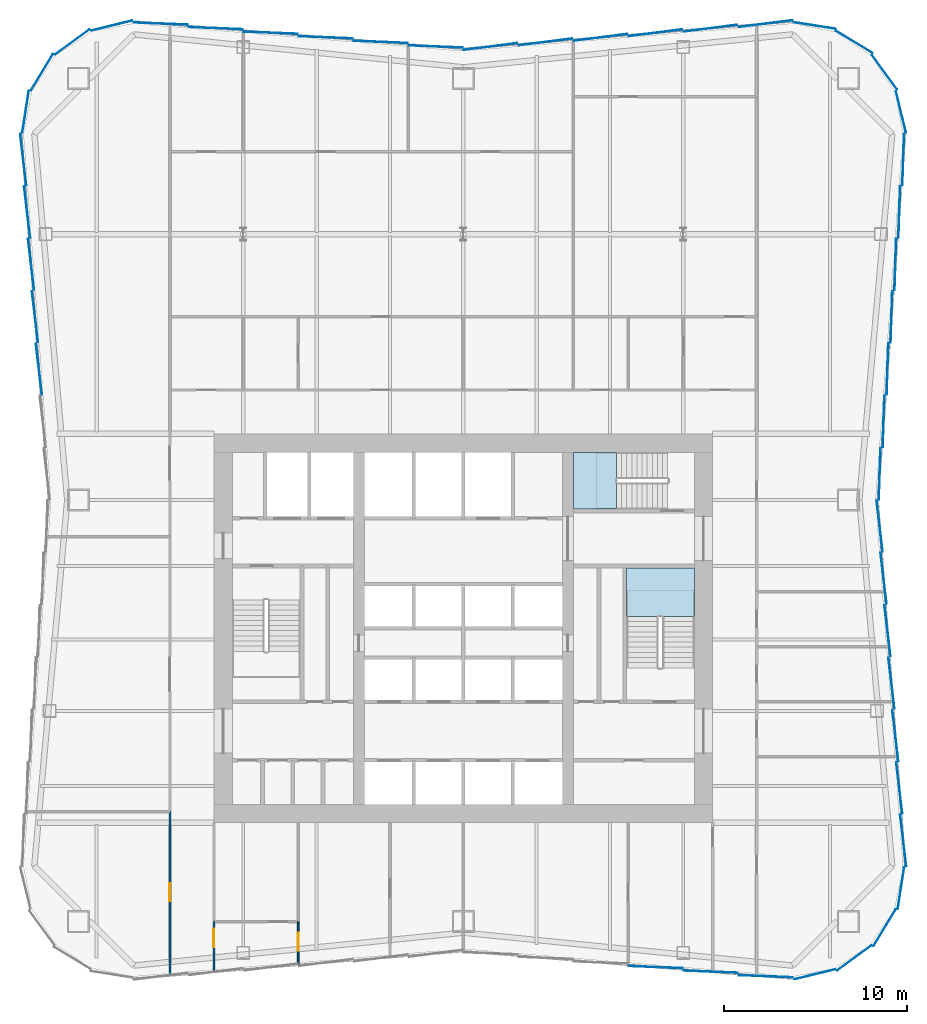
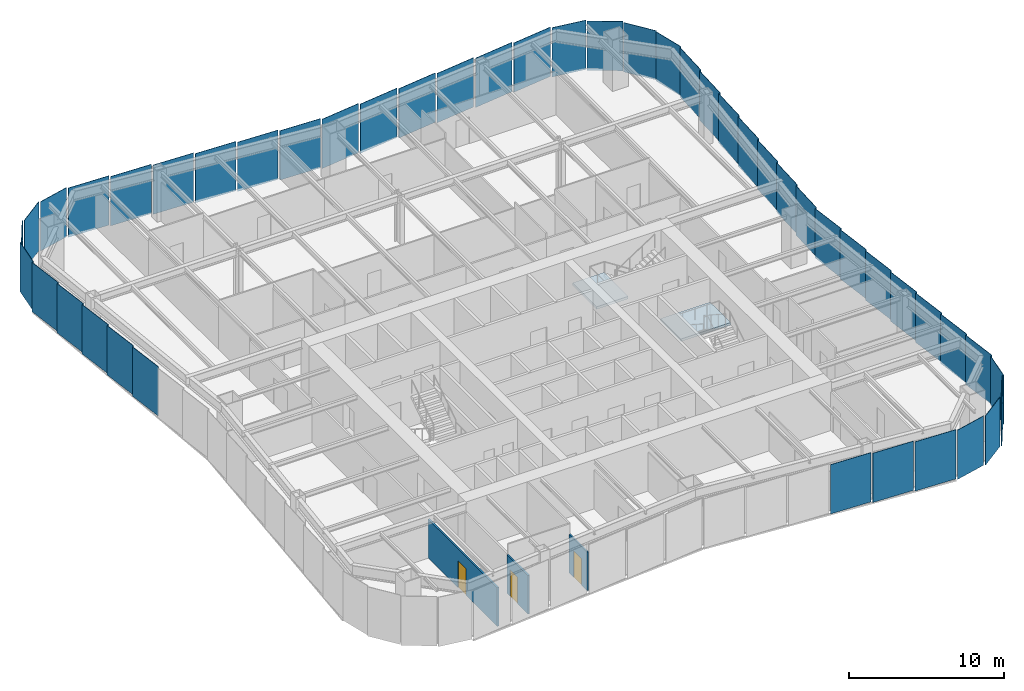
# One storey, part 3 of 8: 46 plates, 3 doors, 3 walls, 2 slabs, 3 openings, 9 elements without a shape of their own.
"""IFC4 building model written with IfcOpenShell, lengths in metres."""

from ifc_helpers import new_model, si_unit, direction, frame, frame_2d, origin, origin_2d, place, context, subcontext, project, spatial, polyline, rectangle, outline, extrude, material, layer, layer_set, type_object, element, fill, aggregate, save


model = new_model("IFC4")

# Units and contexts
model_context = context("Model", 3, precision=1e-05, world=origin(), true_north=direction((0.0, 1.0)))
body_context = subcontext(model_context, "Body", "Model", "MODEL_VIEW")
ifc_project = project(units=[si_unit("LENGTHUNIT", "METRE"), si_unit("AREAUNIT", "SQUARE_METRE"), si_unit("VOLUMEUNIT", "CUBIC_METRE"), si_unit("PLANEANGLEUNIT", "RADIAN"), si_unit("MASSUNIT", "GRAM", prefix="KILO")], contexts=[model_context])

# Site, building, storey
site_placement = place(None, origin())
site = spatial("IfcSite", under=ifc_project, at=site_placement, CompositionType="ELEMENT")
building_placement = place(site_placement, origin())
building = spatial("IfcBuilding", under=site, at=building_placement, Name="Verdant Reach Tower", CompositionType="ELEMENT")
storey_placement = place(building_placement, frame((0.0, 0.0, 146.0)))
storey = spatial("IfcBuildingStorey", under=building, at=storey_placement, Name="L33", CompositionType="ELEMENT", Elevation=146.0)

# Stair, slab
ifc_material_1 = material(Name="Concrete C40/50", Category="concrete")
stair_type = type_object("IfcStairType", Name="CO-STAIR", PredefinedType="HALF_TURN_STAIR", material=ifc_material_1)
stair_1_placement = place(storey_placement, origin())
stair_1 = element("IfcStair", 1, at=stair_1_placement, inside=storey, type_object=stair_type, Name="L33 Exit stair 2", PredefinedType="HALF_TURN_STAIR")
ifc_layer_1 = layer(ifc_material_1, 0.199951171875)
ifc_layer_set_1 = layer_set([ifc_layer_1], Name="CO-STAIR-LANDING")
slab_type = type_object("IfcSlabType", Name="CO-STAIR-LANDING", PredefinedType="LANDING", material=ifc_layer_set_1)
slab_1_placement = place(storey_placement, frame((0.0, 0.0, 1.800048828125)))
slab_1 = element("IfcSlab", 2, at=slab_1_placement, type_object=slab_type, Name="ST-2 landing 1", PredefinedType="LANDING", context=body_context, shape_type="SweptSolid", body=[
    extrude(outline(polyline([(12.60009765625, 28.64990234375), (12.60009765625, 31.300048828125), (8.89990234375, 31.300048828125), (8.89990234375, 28.64990234375), (12.60009765625, 28.64990234375)])), origin(), (0.0, 0.0, 1.0), 0.199951171875),
])
aggregate(stair_1, [slab_1])

stair_2_placement = place(storey_placement, origin())
stair_2 = element("IfcStair", 3, at=stair_2_placement, inside=storey, type_object=stair_type, Name="L33 Exit stair 3", PredefinedType="HALF_TURN_STAIR")
slab_2_placement = place(storey_placement, frame((0.0, 0.0, 1.800048828125)))
slab_2 = element("IfcSlab", 4, at=slab_2_placement, type_object=slab_type, Name="ST-3 landing 1", PredefinedType="LANDING", context=body_context, shape_type="SweptSolid", body=[
    extrude(outline(polyline([(8.35009765625, 37.60009765625), (6.0, 37.60009765625), (6.0, 34.5), (8.35009765625, 34.5), (8.35009765625, 37.60009765625)])), origin(), (0.0, 0.0, 1.0), 0.199951171875),
])
aggregate(stair_2, [slab_2])

# Curtain wall, plates
ifc_material_2 = material(Name="Anodised aluminium", Category="aluminium")
curtain_wall_type = type_object("IfcCurtainWallType", Name="EN-CW SYSTEM Z2", PredefinedType="NOTDEFINED", material=ifc_material_2)
curtain_wall_1_placement = place(storey_placement, origin())
curtain_wall_1 = element("IfcCurtainWall", 5, at=curtain_wall_1_placement, inside=storey, type_object=curtain_wall_type, Name="Curtain wall south-east corner, L33", PredefinedType="NOTDEFINED")
ifc_material_3 = material(Name="Tinted glass with champagne spandrel", Category="glass")
ifc_layer_2 = layer(ifc_material_3, 0.031982421875)
ifc_layer_set_2 = layer_set([ifc_layer_2], Name="EN-PANEL CHAMPAGNE")
plate_type_1 = type_object("IfcPlateType", Name="EN-PANEL CHAMPAGNE", PredefinedType="CURTAIN_PANEL", material=ifc_layer_set_2)
plate_1_placement = place(storey_placement, frame((22.9794921875, 11.6728515625, -0.22607421875), z_axis=(0.0, 0.0, 1.0), x_axis=(0.520291561353, 0.853988694998, 0.0)))
plate_1 = element("IfcPlate", 6, at=plate_1_placement, type_object=plate_type_1, Name="Glass panel south-east corner 3.1, L33", PredefinedType="CURTAIN_PANEL", context=body_context, shape_type="SweptSolid", body=[
    extrude(rectangle(XDim=2.322509765625, YDim=0.031982421875, at=origin_2d()), origin(), (0.0, 0.0, 1.0), 3.8759765625),
])
plate_2_placement = place(storey_placement, frame((23.87353515625, 13.828369140625, -0.22607421875), z_axis=(0.0, 0.0, 1.0), x_axis=(0.154281290631, 0.988026964896, 0.0)))
plate_2 = element("IfcPlate", 7, at=plate_2_placement, type_object=plate_type_1, Name="Glass panel south-east corner 4.1, L33", PredefinedType="CURTAIN_PANEL", context=body_context, shape_type="SweptSolid", body=[
    extrude(rectangle(XDim=2.316162109375, YDim=0.031982421875, at=origin_2d()), origin(), (0.0, 0.0, 1.0), 3.8759765625),
])

curtain_wall_2_placement = place(storey_placement, origin())
curtain_wall_2 = element("IfcCurtainWall", 8, at=curtain_wall_2_placement, inside=storey, type_object=curtain_wall_type, Name="Curtain wall east, L33", PredefinedType="NOTDEFINED")
plate_3_placement = place(storey_placement, frame((23.99853515625, 16.42919921875, -0.22607421875), z_axis=(0.0, 0.0, 1.0), x_axis=(-0.116147092358, 0.993232023717, 0.0)))
plate_3 = element("IfcPlate", 9, at=plate_3_placement, type_object=plate_type_1, Name="Glass panel east face part 1 1.1, L33", PredefinedType="CURTAIN_PANEL", context=body_context, shape_type="SweptSolid", body=[
    extrude(rectangle(XDim=2.819580078125, YDim=0.031982421875, at=origin_2d()), origin(), (0.0, 0.0, 1.0), 3.8759765625),
])
plate_4_placement = place(storey_placement, frame((23.7841796875, 19.293701171875, -0.22607421875), z_axis=(0.0, 0.0, 1.0), x_axis=(-0.116482717753, 0.993192718693, 0.0)))
plate_4 = element("IfcPlate", 10, at=plate_4_placement, type_object=plate_type_1, Name="Glass panel east face part 1 2.1, L33", PredefinedType="CURTAIN_PANEL", context=body_context, shape_type="SweptSolid", body=[
    extrude(rectangle(XDim=2.80517578125, YDim=0.031982421875, at=origin_2d()), origin(), (0.0, 0.0, 1.0), 3.8759765625),
])
plate_5_placement = place(storey_placement, frame((23.570068359375, 22.15087890625, -0.22607421875), z_axis=(0.0, 0.0, 1.0), x_axis=(-0.116482717753, 0.993192718693, 0.0)))
plate_5 = element("IfcPlate", 11, at=plate_5_placement, type_object=plate_type_1, Name="Glass panel east face part 1 3.1, L33", PredefinedType="CURTAIN_PANEL", context=body_context, shape_type="SweptSolid", body=[
    extrude(rectangle(XDim=2.80517578125, YDim=0.031982421875, at=origin_2d()), origin(), (0.0, 0.0, 1.0), 3.8759765625),
])
plate_6_placement = place(storey_placement, frame((23.141357421875, 42.135009765625, -0.22607421875), z_axis=(0.0, 0.0, 1.0), x_axis=(0.032965971753, 0.999456474643, 0.0)))
plate_6 = element("IfcPlate", 12, at=plate_6_placement, type_object=plate_type_1, Name="Glass panel east face part 2 3.1, L33", PredefinedType="CURTAIN_PANEL", context=body_context, shape_type="SweptSolid", body=[
    extrude(rectangle(XDim=2.80517578125, YDim=0.031982421875, at=origin_2d()), origin(), (0.0, 0.0, 1.0), 3.8759765625),
])
plate_7_placement = place(storey_placement, frame((23.355712890625, 44.9921875, -0.22607421875), z_axis=(0.0, 0.0, 1.0), x_axis=(0.032965971753, 0.999456474643, 0.0)))
plate_7 = element("IfcPlate", 13, at=plate_7_placement, type_object=plate_type_1, Name="Glass panel east face part 2 4.1, L33", PredefinedType="CURTAIN_PANEL", context=body_context, shape_type="SweptSolid", body=[
    extrude(rectangle(XDim=2.80517578125, YDim=0.031982421875, at=origin_2d()), origin(), (0.0, 0.0, 1.0), 3.8759765625),
])

curtain_wall_3_placement = place(storey_placement, origin())
curtain_wall_3 = element("IfcCurtainWall", 14, at=curtain_wall_3_placement, inside=storey, type_object=curtain_wall_type, Name="Curtain wall north-east corner, L33", PredefinedType="NOTDEFINED")
plate_8_placement = place(storey_placement, frame((23.87353515625, 56.171630859375, -0.22607421875), z_axis=(0.0, 0.0, 1.0), x_axis=(-0.236416170006, 0.971651889598, 0.0)))
plate_8 = element("IfcPlate", 15, at=plate_8_placement, type_object=plate_type_1, Name="Glass panel north-east corner 1.1, L33", PredefinedType="CURTAIN_PANEL", context=body_context, shape_type="SweptSolid", body=[
    extrude(rectangle(XDim=2.316162109375, YDim=0.031982421875, at=origin_2d()), origin(), (0.0, 0.0, 1.0), 3.8759765625),
])
plate_9_placement = place(storey_placement, frame((22.9794921875, 58.3271484375, -0.22607421875), z_axis=(0.0, 0.0, 1.0), x_axis=(-0.589926757843, 0.807456760688, 0.0)))
plate_9 = element("IfcPlate", 16, at=plate_9_placement, type_object=plate_type_1, Name="Glass panel north-east corner 2.1, L33", PredefinedType="CURTAIN_PANEL", context=body_context, shape_type="SweptSolid", body=[
    extrude(rectangle(XDim=2.322509765625, YDim=0.031982421875, at=origin_2d()), origin(), (0.0, 0.0, 1.0), 3.8759765625),
])
plate_10_placement = place(storey_placement, frame((21.3271484375, 59.9794921875, -0.22607421875), z_axis=(0.0, 0.0, 1.0), x_axis=(-0.853988694998, 0.520291561353, 0.0)))
plate_10 = element("IfcPlate", 17, at=plate_10_placement, type_object=plate_type_1, Name="Glass panel north-east corner 3.1, L33", PredefinedType="CURTAIN_PANEL", context=body_context, shape_type="SweptSolid", body=[
    extrude(rectangle(XDim=2.322509765625, YDim=0.031982421875, at=origin_2d()), origin(), (0.0, 0.0, 1.0), 3.8759765625),
])

curtain_wall_4_placement = place(storey_placement, origin())
curtain_wall_4 = element("IfcCurtainWall", 18, at=curtain_wall_4_placement, inside=storey, type_object=curtain_wall_type, Name="Curtain wall north, L33", PredefinedType="NOTDEFINED")
plate_11_placement = place(storey_placement, frame((16.49853515625, 60.980712890625, -0.22607421875), z_axis=(0.0, 0.0, 1.0), x_axis=(-0.992236570309, -0.124364739946, 0.0)))
plate_11 = element("IfcPlate", 19, at=plate_11_placement, type_object=plate_type_1, Name="Glass panel north face part 1 1.1, L33", PredefinedType="CURTAIN_PANEL", context=body_context, shape_type="SweptSolid", body=[
    extrude(rectangle(XDim=2.965087890625, YDim=0.031982421875, at=origin_2d()), origin(), (0.0, 0.0, 1.0), 3.8759765625),
])
plate_12_placement = place(storey_placement, frame((-1.49560546875, 59.730712890625, -0.22607421875), z_axis=(0.0, 0.0, 1.0), x_axis=(-0.999144163765, 0.041363510662, 0.0)))
plate_12 = element("IfcPlate", 20, at=plate_12_placement, type_object=plate_type_1, Name="Glass panel north face part 2 1.1, L33", PredefinedType="CURTAIN_PANEL", context=body_context, shape_type="SweptSolid", body=[
    extrude(rectangle(XDim=2.941650390625, YDim=0.031982421875, at=origin_2d()), origin(), (0.0, 0.0, 1.0), 3.8759765625),
])
plate_13_placement = place(storey_placement, frame((-4.4912109375, 59.980712890625, -0.22607421875), z_axis=(0.0, 0.0, 1.0), x_axis=(-0.999149202059, 0.041241629766, 0.0)))
plate_13 = element("IfcPlate", 21, at=plate_13_placement, type_object=plate_type_1, Name="Glass panel north face part 2 2.1, L33", PredefinedType="CURTAIN_PANEL", context=body_context, shape_type="SweptSolid", body=[
    extrude(rectangle(XDim=2.950439453125, YDim=0.031982421875, at=origin_2d()), origin(), (0.0, 0.0, 1.0), 3.8759765625),
])
plate_14_placement = place(storey_placement, frame((-7.4912109375, 60.230712890625, -0.22607421875), z_axis=(0.0, 0.0, 1.0), x_axis=(-0.999149202059, 0.041241629766, 0.0)))
plate_14 = element("IfcPlate", 22, at=plate_14_placement, type_object=plate_type_1, Name="Glass panel north face part 2 3.1, L33", PredefinedType="CURTAIN_PANEL", context=body_context, shape_type="SweptSolid", body=[
    extrude(rectangle(XDim=2.950439453125, YDim=0.031982421875, at=origin_2d()), origin(), (0.0, 0.0, 1.0), 3.8759765625),
])

# Curtain wall, plate
curtain_wall_5_placement = place(storey_placement, origin())
curtain_wall_5 = element("IfcCurtainWall", 23, at=curtain_wall_5_placement, inside=storey, type_object=curtain_wall_type, Name="Curtain wall north-west corner, L33", PredefinedType="NOTDEFINED")
plate_15_placement = place(storey_placement, frame((-19.17138671875, 60.87353515625, -0.22607421875), z_axis=(0.0, 0.0, 1.0), x_axis=(-0.971657900775, -0.236391463174, 0.0)))
plate_15 = element("IfcPlate", 24, at=plate_15_placement, type_object=plate_type_1, Name="Glass panel north-west corner 1.1, L33", PredefinedType="CURTAIN_PANEL", context=body_context, shape_type="SweptSolid", body=[
    extrude(rectangle(XDim=2.31640625, YDim=0.031982421875, at=origin_2d()), origin(), (0.0, 0.0, 1.0), 3.8759765625),
])

curtain_wall_6_placement = place(storey_placement, origin())
curtain_wall_6 = element("IfcCurtainWall", 25, at=curtain_wall_6_placement, inside=storey, type_object=curtain_wall_type, Name="Curtain wall west, L33", PredefinedType="NOTDEFINED")
plate_16_placement = place(storey_placement, frame((-23.141357421875, 42.135009765625, -0.22607421875), z_axis=(0.0, 0.0, 1.0), x_axis=(0.116482717753, -0.993192718693, 0.0)))
plate_16 = element("IfcPlate", 26, at=plate_16_placement, type_object=plate_type_1, Name="Glass panel west face part 1 5.1, L33", PredefinedType="CURTAIN_PANEL", context=body_context, shape_type="SweptSolid", body=[
    extrude(rectangle(XDim=2.80517578125, YDim=0.031982421875, at=origin_2d()), origin(), (0.0, 0.0, 1.0), 3.8759765625),
])

# Curtain wall, plates
curtain_wall_7_placement = place(storey_placement, origin())
curtain_wall_7 = element("IfcCurtainWall", 27, at=curtain_wall_7_placement, inside=storey, type_object=curtain_wall_type, Name="Curtain wall south, L33", PredefinedType="NOTDEFINED")
plate_17_placement = place(storey_placement, frame((13.4912109375, 9.269287109375, -0.22607421875), z_axis=(0.0, 0.0, 1.0), x_axis=(0.999149202059, -0.041241629766, 0.0)))
plate_17 = element("IfcPlate", 28, at=plate_17_placement, type_object=plate_type_1, Name="Glass panel south face part 2 5.1, L33", PredefinedType="CURTAIN_PANEL", context=body_context, shape_type="SweptSolid", body=[
    extrude(rectangle(XDim=2.950439453125, YDim=0.031982421875, at=origin_2d()), origin(), (0.0, 0.0, 1.0), 3.8759765625),
])
plate_18_placement = place(storey_placement, frame((16.49853515625, 9.019287109375, -0.22607421875), z_axis=(0.0, 0.0, 1.0), x_axis=(0.999163230224, -0.040900359019, 0.0)))
plate_18 = element("IfcPlate", 29, at=plate_18_placement, type_object=plate_type_1, Name="Glass panel south face part 2 6.1, L33", PredefinedType="CURTAIN_PANEL", context=body_context, shape_type="SweptSolid", body=[
    extrude(rectangle(XDim=2.965087890625, YDim=0.031982421875, at=origin_2d()), origin(), (0.0, 0.0, 1.0), 3.8759765625),
])

# Plate
ifc_material_4 = material(Name="Tinted glass with copper spandrel", Category="glass")
ifc_layer_3 = layer(ifc_material_4, 0.031982421875)
ifc_layer_set_3 = layer_set([ifc_layer_3], Name="EN-PANEL COPPER")
plate_type_2 = type_object("IfcPlateType", Name="EN-PANEL COPPER", PredefinedType="CURTAIN_PANEL", material=ifc_layer_set_3)
plate_19_placement = place(storey_placement, frame((23.355712890625, 25.0078125, -0.22607421875), z_axis=(0.0, 0.0, 1.0), x_axis=(-0.116482717753, 0.993192718693, 0.0)))
plate_19 = element("IfcPlate", 30, at=plate_19_placement, type_object=plate_type_2, Name="Glass panel east face part 1 4.1, L33", PredefinedType="CURTAIN_PANEL", context=body_context, shape_type="SweptSolid", body=[
    extrude(rectangle(XDim=2.80517578125, YDim=0.031982421875, at=origin_2d()), origin(), (0.0, 0.0, 1.0), 3.8759765625),
])

plate_20_placement = place(storey_placement, frame((23.141357421875, 27.864990234375, -0.22607421875), z_axis=(0.0, 0.0, 1.0), x_axis=(-0.116482717753, 0.993192718693, 0.0)))
plate_20 = element("IfcPlate", 31, at=plate_20_placement, type_object=plate_type_2, Name="Glass panel east face part 1 5.1, L33", PredefinedType="CURTAIN_PANEL", context=body_context, shape_type="SweptSolid", body=[
    extrude(rectangle(XDim=2.80517578125, YDim=0.031982421875, at=origin_2d()), origin(), (0.0, 0.0, 1.0), 3.8759765625),
])

plate_21_placement = place(storey_placement, frame((23.570068359375, 47.84912109375, -0.22607421875), z_axis=(0.0, 0.0, 1.0), x_axis=(0.032965971753, 0.999456474643, 0.0)))
plate_21 = element("IfcPlate", 32, at=plate_21_placement, type_object=plate_type_2, Name="Glass panel east face part 2 5.1, L33", PredefinedType="CURTAIN_PANEL", context=body_context, shape_type="SweptSolid", body=[
    extrude(rectangle(XDim=2.80517578125, YDim=0.031982421875, at=origin_2d()), origin(), (0.0, 0.0, 1.0), 3.8759765625),
])

plate_22_placement = place(storey_placement, frame((23.7841796875, 50.706298828125, -0.22607421875), z_axis=(0.0, 0.0, 1.0), x_axis=(0.032965971753, 0.999456474643, 0.0)))
plate_22 = element("IfcPlate", 33, at=plate_22_placement, type_object=plate_type_2, Name="Glass panel east face part 2 6.1, L33", PredefinedType="CURTAIN_PANEL", context=body_context, shape_type="SweptSolid", body=[
    extrude(rectangle(XDim=2.80517578125, YDim=0.031982421875, at=origin_2d()), origin(), (0.0, 0.0, 1.0), 3.8759765625),
])

plate_23_placement = place(storey_placement, frame((23.99853515625, 53.57080078125, -0.22607421875), z_axis=(0.0, 0.0, 1.0), x_axis=(0.032628234484, 0.99946755741, 0.0)))
plate_23 = element("IfcPlate", 34, at=plate_23_placement, type_object=plate_type_2, Name="Glass panel east face part 2 7.1, L33", PredefinedType="CURTAIN_PANEL", context=body_context, shape_type="SweptSolid", body=[
    extrude(rectangle(XDim=2.819580078125, YDim=0.031982421875, at=origin_2d()), origin(), (0.0, 0.0, 1.0), 3.8759765625),
])

plate_24_placement = place(storey_placement, frame((19.17138671875, 60.87353515625, -0.22607421875), z_axis=(0.0, 0.0, 1.0), x_axis=(-0.988030887576, 0.154256167447, 0.0)))
plate_24 = element("IfcPlate", 35, at=plate_24_placement, type_object=plate_type_2, Name="Glass panel north-east corner 4.1, L33", PredefinedType="CURTAIN_PANEL", context=body_context, shape_type="SweptSolid", body=[
    extrude(rectangle(XDim=2.31640625, YDim=0.031982421875, at=origin_2d()), origin(), (0.0, 0.0, 1.0), 3.8759765625),
])

aggregate(curtain_wall_3, [plate_8, plate_9, plate_10, plate_24])

plate_25_placement = place(storey_placement, frame((13.4912109375, 60.730712890625, -0.22607421875), z_axis=(0.0, 0.0, 1.0), x_axis=(-0.992194034542, -0.124703639961, 0.0)))
plate_25 = element("IfcPlate", 36, at=plate_25_placement, type_object=plate_type_2, Name="Glass panel north face part 1 2.1, L33", PredefinedType="CURTAIN_PANEL", context=body_context, shape_type="SweptSolid", body=[
    extrude(rectangle(XDim=2.950439453125, YDim=0.031982421875, at=origin_2d()), origin(), (0.0, 0.0, 1.0), 3.8759765625),
])

plate_26_placement = place(storey_placement, frame((10.4912109375, 60.480712890625, -0.22607421875), z_axis=(0.0, 0.0, 1.0), x_axis=(-0.992194034542, -0.124703639961, 0.0)))
plate_26 = element("IfcPlate", 37, at=plate_26_placement, type_object=plate_type_2, Name="Glass panel north face part 1 3.1, L33", PredefinedType="CURTAIN_PANEL", context=body_context, shape_type="SweptSolid", body=[
    extrude(rectangle(XDim=2.950439453125, YDim=0.031982421875, at=origin_2d()), origin(), (0.0, 0.0, 1.0), 3.8759765625),
])

plate_27_placement = place(storey_placement, frame((7.4912109375, 60.230712890625, -0.22607421875), z_axis=(0.0, 0.0, 1.0), x_axis=(-0.992194034542, -0.124703639961, 0.0)))
plate_27 = element("IfcPlate", 38, at=plate_27_placement, type_object=plate_type_2, Name="Glass panel north face part 1 4.1, L33", PredefinedType="CURTAIN_PANEL", context=body_context, shape_type="SweptSolid", body=[
    extrude(rectangle(XDim=2.950439453125, YDim=0.031982421875, at=origin_2d()), origin(), (0.0, 0.0, 1.0), 3.8759765625),
])

plate_28_placement = place(storey_placement, frame((-10.4912109375, 60.480712890625, -0.22607421875), z_axis=(0.0, 0.0, 1.0), x_axis=(-0.999149202059, 0.041241629766, 0.0)))
plate_28 = element("IfcPlate", 39, at=plate_28_placement, type_object=plate_type_2, Name="Glass panel north face part 2 4.1, L33", PredefinedType="CURTAIN_PANEL", context=body_context, shape_type="SweptSolid", body=[
    extrude(rectangle(XDim=2.950439453125, YDim=0.031982421875, at=origin_2d()), origin(), (0.0, 0.0, 1.0), 3.8759765625),
])

plate_29_placement = place(storey_placement, frame((-13.4912109375, 60.730712890625, -0.22607421875), z_axis=(0.0, 0.0, 1.0), x_axis=(-0.999149202059, 0.041241629766, 0.0)))
plate_29 = element("IfcPlate", 40, at=plate_29_placement, type_object=plate_type_2, Name="Glass panel north face part 2 5.1, L33", PredefinedType="CURTAIN_PANEL", context=body_context, shape_type="SweptSolid", body=[
    extrude(rectangle(XDim=2.950439453125, YDim=0.031982421875, at=origin_2d()), origin(), (0.0, 0.0, 1.0), 3.8759765625),
])

plate_30_placement = place(storey_placement, frame((-21.3271484375, 59.9794921875, -0.22607421875), z_axis=(0.0, 0.0, 1.0), x_axis=(-0.807456760688, -0.589926757843, 0.0)))
plate_30 = element("IfcPlate", 41, at=plate_30_placement, type_object=plate_type_2, Name="Glass panel north-west corner 2.1, L33", PredefinedType="CURTAIN_PANEL", context=body_context, shape_type="SweptSolid", body=[
    extrude(rectangle(XDim=2.322509765625, YDim=0.031982421875, at=origin_2d()), origin(), (0.0, 0.0, 1.0), 3.8759765625),
])

plate_31_placement = place(storey_placement, frame((-22.9794921875, 58.3271484375, -0.22607421875), z_axis=(0.0, 0.0, 1.0), x_axis=(-0.520291561353, -0.853988694998, 0.0)))
plate_31 = element("IfcPlate", 42, at=plate_31_placement, type_object=plate_type_2, Name="Glass panel north-west corner 3.1, L33", PredefinedType="CURTAIN_PANEL", context=body_context, shape_type="SweptSolid", body=[
    extrude(rectangle(XDim=2.322509765625, YDim=0.031982421875, at=origin_2d()), origin(), (0.0, 0.0, 1.0), 3.8759765625),
])

plate_32_placement = place(storey_placement, frame((-23.87353515625, 56.171630859375, -0.22607421875), z_axis=(0.0, 0.0, 1.0), x_axis=(-0.154281290631, -0.988026964896, 0.0)))
plate_32 = element("IfcPlate", 43, at=plate_32_placement, type_object=plate_type_2, Name="Glass panel north-west corner 4.1, L33", PredefinedType="CURTAIN_PANEL", context=body_context, shape_type="SweptSolid", body=[
    extrude(rectangle(XDim=2.316162109375, YDim=0.031982421875, at=origin_2d()), origin(), (0.0, 0.0, 1.0), 3.8759765625),
])

aggregate(curtain_wall_5, [plate_15, plate_30, plate_31, plate_32])

plate_33_placement = place(storey_placement, frame((-23.99853515625, 53.57080078125, -0.22607421875), z_axis=(0.0, 0.0, 1.0), x_axis=(0.116147092358, -0.993232023717, 0.0)))
plate_33 = element("IfcPlate", 44, at=plate_33_placement, type_object=plate_type_2, Name="Glass panel west face part 1 1.1, L33", PredefinedType="CURTAIN_PANEL", context=body_context, shape_type="SweptSolid", body=[
    extrude(rectangle(XDim=2.819580078125, YDim=0.031982421875, at=origin_2d()), origin(), (0.0, 0.0, 1.0), 3.8759765625),
])

plate_34_placement = place(storey_placement, frame((-23.7841796875, 50.706298828125, -0.22607421875), z_axis=(0.0, 0.0, 1.0), x_axis=(0.116482717753, -0.993192718693, 0.0)))
plate_34 = element("IfcPlate", 45, at=plate_34_placement, type_object=plate_type_2, Name="Glass panel west face part 1 2.1, L33", PredefinedType="CURTAIN_PANEL", context=body_context, shape_type="SweptSolid", body=[
    extrude(rectangle(XDim=2.80517578125, YDim=0.031982421875, at=origin_2d()), origin(), (0.0, 0.0, 1.0), 3.8759765625),
])

ifc_material_5 = material(Name="Tinted glass with dark bronze spandrel", Category="glass")
ifc_layer_4 = layer(ifc_material_5, 0.031982421875)
ifc_layer_set_4 = layer_set([ifc_layer_4], Name="EN-PANEL DARK")
plate_type_3 = type_object("IfcPlateType", Name="EN-PANEL DARK", PredefinedType="CURTAIN_PANEL", material=ifc_layer_set_4)
plate_35_placement = place(storey_placement, frame((19.17138671875, 9.12646484375, -0.22607421875), z_axis=(0.0, 0.0, 1.0), x_axis=(0.971657900775, 0.236391463174, 0.0)))
plate_35 = element("IfcPlate", 46, at=plate_35_placement, type_object=plate_type_3, Name="Glass panel south-east corner 1.1, L33", PredefinedType="CURTAIN_PANEL", context=body_context, shape_type="SweptSolid", body=[
    extrude(rectangle(XDim=2.31640625, YDim=0.031982421875, at=origin_2d()), origin(), (0.0, 0.0, 1.0), 3.8759765625),
])

plate_36_placement = place(storey_placement, frame((21.3271484375, 10.0205078125, -0.22607421875), z_axis=(0.0, 0.0, 1.0), x_axis=(0.807456760688, 0.589926757843, 0.0)))
plate_36 = element("IfcPlate", 47, at=plate_36_placement, type_object=plate_type_3, Name="Glass panel south-east corner 2.1, L33", PredefinedType="CURTAIN_PANEL", context=body_context, shape_type="SweptSolid", body=[
    extrude(rectangle(XDim=2.322509765625, YDim=0.031982421875, at=origin_2d()), origin(), (0.0, 0.0, 1.0), 3.8759765625),
])

aggregate(curtain_wall_1, [plate_35, plate_36, plate_1, plate_2])

plate_37_placement = place(storey_placement, frame((22.92724609375, 30.72216796875, -0.22607421875), z_axis=(0.0, 0.0, 1.0), x_axis=(-0.116482717753, 0.993192718693, 0.0)))
plate_37 = element("IfcPlate", 48, at=plate_37_placement, type_object=plate_type_3, Name="Glass panel east face part 1 6.1, L33", PredefinedType="CURTAIN_PANEL", context=body_context, shape_type="SweptSolid", body=[
    extrude(rectangle(XDim=2.80517578125, YDim=0.031982421875, at=origin_2d()), origin(), (0.0, 0.0, 1.0), 3.8759765625),
])

plate_38_placement = place(storey_placement, frame((22.712890625, 33.575439453125, -0.22607421875), z_axis=(0.0, 0.0, 1.0), x_axis=(-0.116585911919, 0.993180610535, 0.0)))
plate_38 = element("IfcPlate", 49, at=plate_38_placement, type_object=plate_type_3, Name="Glass panel east face part 1 7.1, L33", PredefinedType="CURTAIN_PANEL", context=body_context, shape_type="SweptSolid", body=[
    extrude(rectangle(XDim=2.797119140625, YDim=0.031982421875, at=origin_2d()), origin(), (0.0, 0.0, 1.0), 3.8759765625),
])

plate_39_placement = place(storey_placement, frame((22.712890625, 36.424560546875, -0.22607421875), z_axis=(0.0, 0.0, 1.0), x_axis=(0.033069817188, 0.999453044015, 0.0)))
plate_39 = element("IfcPlate", 50, at=plate_39_placement, type_object=plate_type_3, Name="Glass panel east face part 2 1.1, L33", PredefinedType="CURTAIN_PANEL", context=body_context, shape_type="SweptSolid", body=[
    extrude(rectangle(XDim=2.797119140625, YDim=0.031982421875, at=origin_2d()), origin(), (0.0, 0.0, 1.0), 3.8759765625),
])

plate_40_placement = place(storey_placement, frame((22.92724609375, 39.27783203125, -0.22607421875), z_axis=(0.0, 0.0, 1.0), x_axis=(0.032965971753, 0.999456474643, 0.0)))
plate_40 = element("IfcPlate", 51, at=plate_40_placement, type_object=plate_type_3, Name="Glass panel east face part 2 2.1, L33", PredefinedType="CURTAIN_PANEL", context=body_context, shape_type="SweptSolid", body=[
    extrude(rectangle(XDim=2.80517578125, YDim=0.031982421875, at=origin_2d()), origin(), (0.0, 0.0, 1.0), 3.8759765625),
])

aggregate(curtain_wall_2, [plate_3, plate_4, plate_5, plate_19, plate_20, plate_37, plate_38, plate_39, plate_40, plate_6, plate_7, plate_21, plate_22, plate_23])

plate_41_placement = place(storey_placement, frame((4.4912109375, 59.980712890625, -0.22607421875), z_axis=(0.0, 0.0, 1.0), x_axis=(-0.992194034542, -0.124703639961, 0.0)))
plate_41 = element("IfcPlate", 52, at=plate_41_placement, type_object=plate_type_3, Name="Glass panel north face part 1 5.1, L33", PredefinedType="CURTAIN_PANEL", context=body_context, shape_type="SweptSolid", body=[
    extrude(rectangle(XDim=2.950439453125, YDim=0.031982421875, at=origin_2d()), origin(), (0.0, 0.0, 1.0), 3.8759765625),
])

plate_42_placement = place(storey_placement, frame((1.49560546875, 59.730712890625, -0.22607421875), z_axis=(0.0, 0.0, 1.0), x_axis=(-0.992178815188, -0.12482467181, 0.0)))
plate_42 = element("IfcPlate", 53, at=plate_42_placement, type_object=plate_type_3, Name="Glass panel north face part 1 6.1, L33", PredefinedType="CURTAIN_PANEL", context=body_context, shape_type="SweptSolid", body=[
    extrude(rectangle(XDim=2.941650390625, YDim=0.031982421875, at=origin_2d()), origin(), (0.0, 0.0, 1.0), 3.8759765625),
])

plate_43_placement = place(storey_placement, frame((-16.49853515625, 60.980712890625, -0.22607421875), z_axis=(0.0, 0.0, 1.0), x_axis=(-0.999163230224, 0.040900359019, 0.0)))
plate_43 = element("IfcPlate", 54, at=plate_43_placement, type_object=plate_type_3, Name="Glass panel north face part 2 6.1, L33", PredefinedType="CURTAIN_PANEL", context=body_context, shape_type="SweptSolid", body=[
    extrude(rectangle(XDim=2.965087890625, YDim=0.031982421875, at=origin_2d()), origin(), (0.0, 0.0, 1.0), 3.8759765625),
])

aggregate(curtain_wall_4, [plate_11, plate_25, plate_26, plate_27, plate_41, plate_42, plate_12, plate_13, plate_14, plate_28, plate_29, plate_43])

plate_44_placement = place(storey_placement, frame((-23.570068359375, 47.84912109375, -0.22607421875), z_axis=(0.0, 0.0, 1.0), x_axis=(0.116482717753, -0.993192718693, 0.0)))
plate_44 = element("IfcPlate", 55, at=plate_44_placement, type_object=plate_type_3, Name="Glass panel west face part 1 3.1, L33", PredefinedType="CURTAIN_PANEL", context=body_context, shape_type="SweptSolid", body=[
    extrude(rectangle(XDim=2.80517578125, YDim=0.031982421875, at=origin_2d()), origin(), (0.0, 0.0, 1.0), 3.8759765625),
])

plate_45_placement = place(storey_placement, frame((-23.355712890625, 44.9921875, -0.22607421875), z_axis=(0.0, 0.0, 1.0), x_axis=(0.116482717753, -0.993192718693, 0.0)))
plate_45 = element("IfcPlate", 56, at=plate_45_placement, type_object=plate_type_3, Name="Glass panel west face part 1 4.1, L33", PredefinedType="CURTAIN_PANEL", context=body_context, shape_type="SweptSolid", body=[
    extrude(rectangle(XDim=2.80517578125, YDim=0.031982421875, at=origin_2d()), origin(), (0.0, 0.0, 1.0), 3.8759765625),
])

aggregate(curtain_wall_6, [plate_33, plate_34, plate_44, plate_45, plate_16])

plate_46_placement = place(storey_placement, frame((10.4912109375, 9.519287109375, -0.22607421875), z_axis=(0.0, 0.0, 1.0), x_axis=(0.999149202059, -0.041241629766, 0.0)))
plate_46 = element("IfcPlate", 57, at=plate_46_placement, type_object=plate_type_3, Name="Glass panel south face part 2 4.1, L33", PredefinedType="CURTAIN_PANEL", context=body_context, shape_type="SweptSolid", body=[
    extrude(rectangle(XDim=2.950439453125, YDim=0.031982421875, at=origin_2d()), origin(), (0.0, 0.0, 1.0), 3.8759765625),
])

aggregate(curtain_wall_7, [plate_46, plate_17, plate_18])

# Wall, opening, door
ifc_material_6 = material(Name="Gypsum board on steel studs", Category="steel")
ifc_layer_5 = layer(ifc_material_6, 0.10009765625)
ifc_layer_set_5 = layer_set([ifc_layer_5], Name="FL-W1 Partition 100")
wall_type_1 = type_object("IfcWallType", Name="FL-W1 Partition 100", PredefinedType="PARTITIONING", material=ifc_layer_set_5)
wall_1_placement = place(storey_placement, frame((-9.0, 12.00390625, 0.0), z_axis=(0.0, 0.0, 1.0), x_axis=(0.0, -1.0, 0.0)))
wall_1 = element("IfcWall", 58, at=wall_1_placement, inside=storey, type_object=wall_type_1, Name="Partition 33.32", PredefinedType="PARTITIONING", context=body_context, shape_type="SweptSolid", body=[
    extrude(rectangle(XDim=2.333984375, YDim=0.10009765625, at=frame_2d((1.1669921875, 0.0))), origin(), (0.0, 0.0, 1.0), 3.0400390625),
])
opening_1_placement = place(wall_1_placement, frame((0.601806640625, 0.0, 0.0)))
opening_1 = element("IfcOpeningElement", 59, at=opening_1_placement, cuts=wall_1, Name="Opening D3", PredefinedType="OPENING", context=body_context, shape_type="SweptSolid", body=[
    extrude(rectangle(XDim=1.0, YDim=2.10009765625, at=frame_2d((0.5, 1.050048828125))), frame((0.0, 0.06005859375, 0.0), z_axis=(0.0, -1.0, 0.0), x_axis=(1.0, 0.0, 0.0)), (0.0, 0.0, 1.0), 0.1201171875),
])
ifc_material_7 = material(Name="Painted timber door leaf", Category="wood")
door_type_1 = type_object("IfcDoorType", Name="FL-D3 Door 1000x2100", OperationType="NOTDEFINED", PredefinedType="DOOR", material=ifc_material_7)
door_1_placement = place(opening_1_placement, origin())
door_1 = element("IfcDoor", 60, at=door_1_placement, inside=storey, type_object=door_type_1, Name="Door 33-017", OperationType="SINGLE_SWING_LEFT", OverallHeight=2.10009765625, OverallWidth=1.0, PredefinedType="DOOR", context=body_context, shape_type="SweptSolid", body=[
    extrude(rectangle(XDim=1.0, YDim=2.10009765625, at=frame_2d((0.5, 1.050048828125))), frame((0.0, 0.02490234375, 0.0), z_axis=(0.0, -1.0, 0.0), x_axis=(1.0, 0.0, 0.0)), (0.0, 0.0, 1.0), 0.050048828125),
])
fill(opening_1, door_1)

ifc_material_8 = material(Name="Gypsum board on steel studs, fire rated", Category="steel")
ifc_layer_6 = layer(ifc_material_8, 0.125)
ifc_layer_set_6 = layer_set([ifc_layer_6], Name="FL-W2 Corridor wall 125")
wall_type_2 = type_object("IfcWallType", Name="FL-W2 Corridor wall 125", PredefinedType="PARTITIONING", material=ifc_layer_set_6)
wall_2_placement = place(storey_placement, frame((-16.0, 9.086669921875, 0.0), z_axis=(0.0, 0.0, 1.0), x_axis=(0.0, 1.0, 0.0)))
wall_2 = element("IfcWall", 61, at=wall_2_placement, inside=storey, type_object=wall_type_2, Name="Partition 33.01", PredefinedType="PARTITIONING", context=body_context, shape_type="SweptSolid", body=[
    extrude(rectangle(XDim=8.913330078125, YDim=0.125, at=frame_2d((4.45654296875, 0.0))), origin(), (0.0, 0.0, 1.0), 3.0400390625),
])
opening_2_placement = place(wall_2_placement, frame((4.021728515625, 0.0, 0.0)))
opening_2 = element("IfcOpeningElement", 62, at=opening_2_placement, cuts=wall_2, Name="Opening D2", PredefinedType="OPENING", context=body_context, shape_type="SweptSolid", body=[
    extrude(rectangle(XDim=1.0, YDim=2.10009765625, at=frame_2d((0.5, 1.050048828125))), frame((0.0, 0.072509765625, 0.0), z_axis=(0.0, -1.0, 0.0), x_axis=(1.0, 0.0, 0.0)), (0.0, 0.0, 1.0), 0.14501953125),
])
ifc_material_9 = material(Name="Timber door leaf, fire rated", Category="wood")
door_type_2 = type_object("IfcDoorType", Name="FL-D2 Entrance door 1000x2100 FD30", OperationType="NOTDEFINED", PredefinedType="DOOR", material=ifc_material_9)
door_2_placement = place(opening_2_placement, origin())
door_2 = element("IfcDoor", 63, at=door_2_placement, inside=storey, type_object=door_type_2, Name="Door 33-001", OperationType="SINGLE_SWING_RIGHT", OverallHeight=2.10009765625, OverallWidth=1.0, PredefinedType="DOOR", context=body_context, shape_type="SweptSolid", body=[
    extrude(rectangle(XDim=1.0, YDim=2.10009765625, at=frame_2d((0.5, 1.050048828125))), frame((0.0, 0.02490234375, 0.0), z_axis=(0.0, -1.0, 0.0), x_axis=(1.0, 0.0, 0.0)), (0.0, 0.0, 1.0), 0.050048828125),
])
fill(opening_2, door_2)

wall_3_placement = place(storey_placement, frame((-13.60009765625, 12.0, 0.0), z_axis=(0.0, 0.0, 1.0), x_axis=(0.0, -1.0, 0.0)))
wall_3 = element("IfcWall", 64, at=wall_3_placement, inside=storey, type_object=wall_type_2, Name="Partition 33.09", PredefinedType="PARTITIONING", context=body_context, shape_type="SweptSolid", body=[
    extrude(rectangle(XDim=2.71337890625, YDim=0.125, at=frame_2d((1.356689453125, 0.0))), origin(), (0.0, 0.0, 1.0), 3.0400390625),
])
opening_3_placement = place(wall_3_placement, frame((0.3916015625, 0.0, 0.0)))
opening_3 = element("IfcOpeningElement", 65, at=opening_3_placement, cuts=wall_3, Name="Opening D2", PredefinedType="OPENING", context=body_context, shape_type="SweptSolid", body=[
    extrude(rectangle(XDim=1.0, YDim=2.10009765625, at=frame_2d((0.5, 1.050048828125))), frame((0.0, 0.072509765625, 0.0), z_axis=(0.0, -1.0, 0.0), x_axis=(1.0, 0.0, 0.0)), (0.0, 0.0, 1.0), 0.14501953125),
])
door_3_placement = place(opening_3_placement, origin())
door_3 = element("IfcDoor", 66, at=door_3_placement, inside=storey, type_object=door_type_2, Name="Door 33-009", OperationType="SINGLE_SWING_LEFT", OverallHeight=2.10009765625, OverallWidth=1.0, PredefinedType="DOOR", context=body_context, shape_type="SweptSolid", body=[
    extrude(rectangle(XDim=1.0, YDim=2.10009765625, at=frame_2d((0.5, 1.050048828125))), frame((0.0, 0.02490234375, 0.0), z_axis=(0.0, -1.0, 0.0), x_axis=(1.0, 0.0, 0.0)), (0.0, 0.0, 1.0), 0.050048828125),
])
fill(opening_3, door_3)

save(model, "model.ifc")
